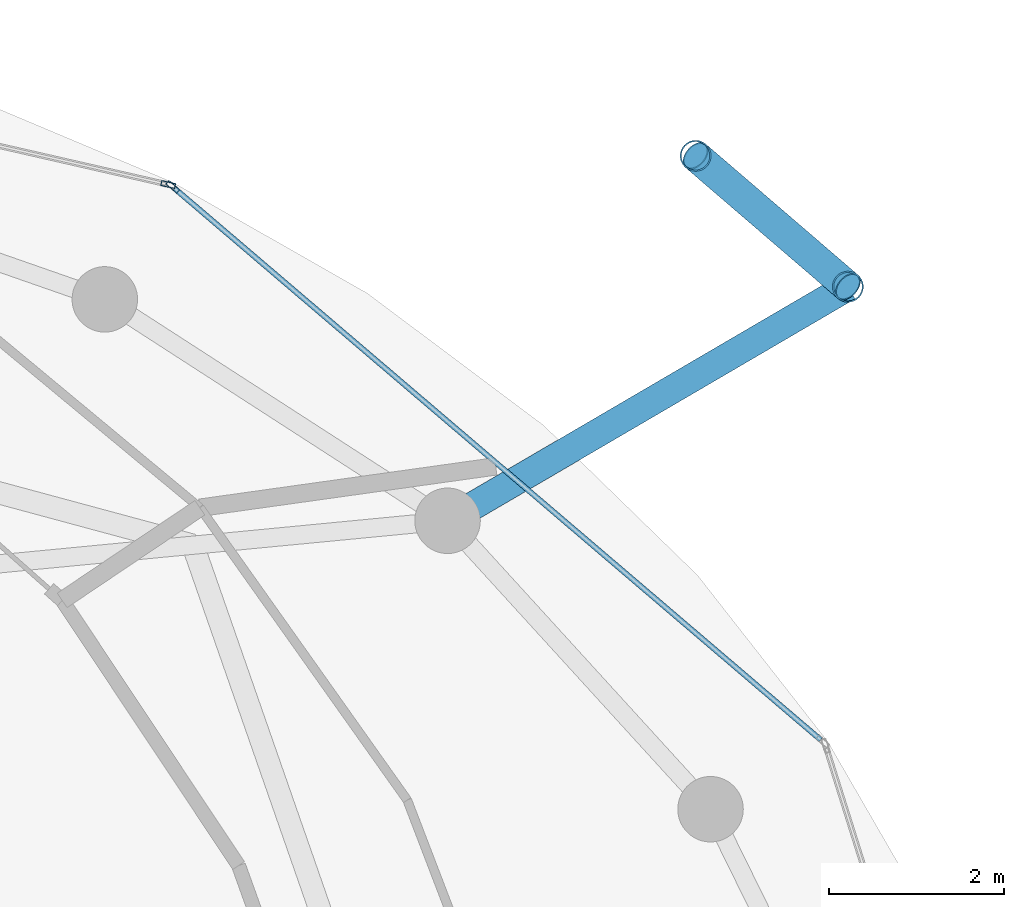
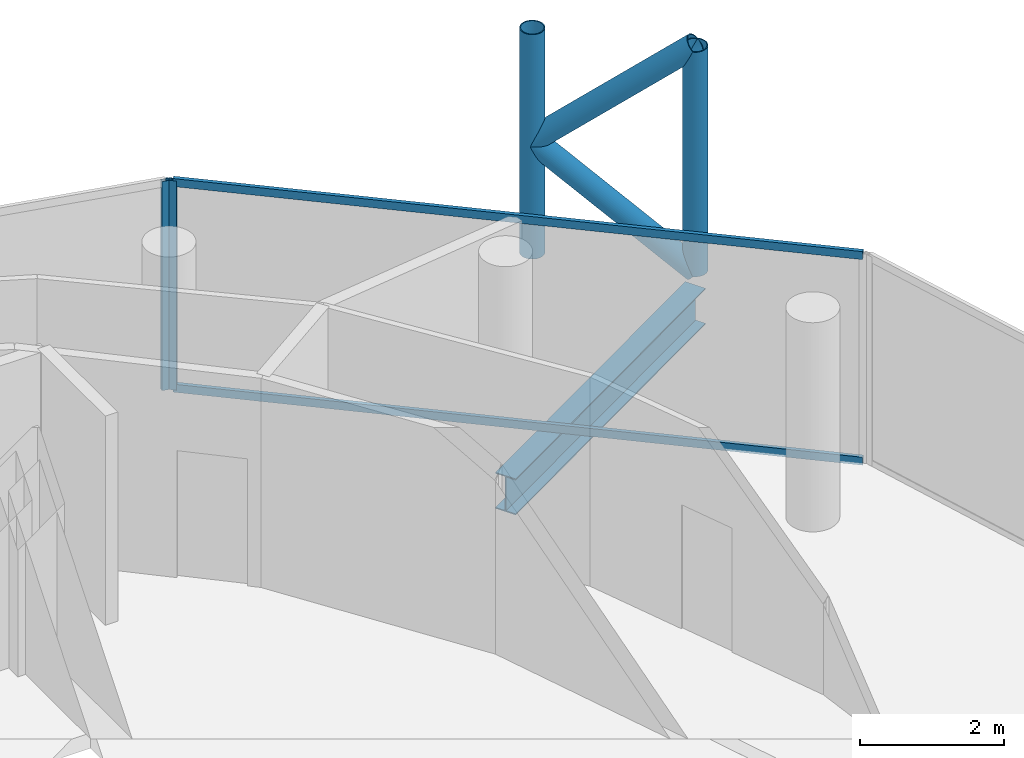
# One storey, part 18 of 24: 8 members, 1 beam, 2 elements without a shape of their own.
"""IFC4 building model written with IfcOpenShell, lengths in metres."""

import ifcopenshell
import ifcopenshell.guid

model = None  # the IFC model being written
_history = None  # IfcOwnerHistory: only IFC2X3 demands one
_inside = {}  # id of a spatial element -> (the spatial element, [elements in it])
_under = {}  # id of a project, library or spatial element -> (it, [spatial elements below it])
_declared = {}  # id of a project -> (the project, [libraries it declares])
_typed = {}  # id of a type object -> (the type object, [elements of that type])
_made_of = {}  # id of a material, layer set ... -> (it, [elements and type objects made of it])


def new_model(schema):
    """Start an empty IFC model of exactly this schema.

    Asked for "IFC4X3", IfcOpenShell would pick the latest addendum, in which some entities
    have other attributes; the version numbers below select the first issue.
    IFC2X3 requires an IfcOwnerHistory on every rooted entity: one is made here for all.
    """
    global model, _history
    if schema == "IFC4X3":
        model = ifcopenshell.file(schema_version=(4, 3, 0, 0))
    else:
        model = ifcopenshell.file(schema=schema)
    _inside.clear()
    _under.clear()
    _declared.clear()
    _typed.clear()
    _made_of.clear()
    _history = None
    if model.schema == "IFC2X3":
        org = make("IfcOrganization", Name="unknown")
        user = make(
            "IfcPersonAndOrganization",
            ThePerson=make("IfcPerson", FamilyName="unknown"),
            TheOrganization=org,
        )
        app = make(
            "IfcApplication",
            ApplicationDeveloper=org,
            Version="unknown",
            ApplicationFullName="unknown",
            ApplicationIdentifier="unknown",
        )
        _history = make(
            "IfcOwnerHistory",
            OwningUser=user,
            OwningApplication=app,
            ChangeAction="ADDED",
            CreationDate=0,
        )
    return model


def make(cls, **values):
    """One entity of the class cls with the attributes given. An attribute that is None is left unset."""
    return model.create_entity(
        cls, **{name: value for name, value in values.items() if value is not None}
    )


def rooted(cls, **values):
    """An entity with a GlobalId (a new one), such as an element, a storey or a relation."""
    return make(cls, GlobalId=ifcopenshell.guid.new(), OwnerHistory=_history, **values)


def si_unit(unit_type, name, prefix=None):
    """IfcSIUnit, for example si_unit("LENGTHUNIT", "METRE", prefix="MILLI")."""
    return make("IfcSIUnit", UnitType=unit_type, Prefix=prefix, Name=name)


def assignment(units):
    """IfcUnitAssignment: the units of a project."""
    return None if units is None else make("IfcUnitAssignment", Units=units)


def point(xyz):
    """IfcCartesianPoint."""
    return None if xyz is None else make("IfcCartesianPoint", Coordinates=xyz)


def direction(xyz):
    """IfcDirection."""
    return None if xyz is None else make("IfcDirection", DirectionRatios=xyz)


def frame(location, z_axis=None, x_axis=None):
    """IfcAxis2Placement3D, a coordinate frame: its origin and axes. An axis left out is left unset."""
    return make(
        "IfcAxis2Placement3D",
        Location=point(location),
        Axis=direction(z_axis),
        RefDirection=direction(x_axis),
    )


def frame_2d(location, x_axis=None):
    """IfcAxis2Placement2D, a coordinate frame in the plane: its origin and x axis."""
    return make(
        "IfcAxis2Placement2D", Location=point(location), RefDirection=direction(x_axis)
    )


def origin():
    """The frame at (0, 0, 0) with its axes left unset."""
    return frame((0.0, 0.0, 0.0))


def origin_2d():
    """The frame at (0, 0) in the plane with its x axis left unset."""
    return frame_2d((0.0, 0.0))


def place(relative_to, where):
    """IfcLocalPlacement: puts the frame where relative to a parent placement (None: the world)."""
    return make(
        "IfcLocalPlacement", PlacementRelTo=relative_to, RelativePlacement=where
    )


def context(
    kind, dimensions, precision=None, world=None, true_north=None, identifier=None
):
    """IfcGeometricRepresentationContext, for example the 3D "Model" context."""
    return make(
        "IfcGeometricRepresentationContext",
        ContextIdentifier=identifier,
        ContextType=kind,
        CoordinateSpaceDimension=dimensions,
        Precision=precision,
        WorldCoordinateSystem=world,
        TrueNorth=true_north,
    )


def subcontext(parent, identifier, kind, view, scale=None):
    """IfcGeometricRepresentationSubContext, for example "Body" below "Model"."""
    return make(
        "IfcGeometricRepresentationSubContext",
        ContextIdentifier=identifier,
        ContextType=kind,
        ParentContext=parent,
        TargetScale=scale,
        TargetView=view,
    )


def project(units=None, contexts=None):
    """IfcProject with its units and contexts."""
    return rooted(
        "IfcProject",
        Name="project",
        RepresentationContexts=contexts,
        UnitsInContext=assignment(units),
    )


def spatial(cls, under=None, at=None, **own):
    """A site, building, storey or space (cls), placed at a placement, below another one or the project."""
    s = rooted(cls, ObjectPlacement=at, **own)
    if under is not None:
        _under.setdefault(under.id(), (under, []))[1].append(s)
    return s


def profile(cls, at=None, kind="AREA", **sizes):
    """A parametric profile (cls). Its sizes go by their IFC names, for example OverallWidth=200.0."""
    return make(cls, ProfileType=kind, Position=at, **sizes)


def hollow_rectangle(**sizes):
    """IfcRectangleHollowProfileDef."""
    return profile("IfcRectangleHollowProfileDef", **sizes)


def hollow_circle(**sizes):
    """IfcCircleHollowProfileDef."""
    return profile("IfcCircleHollowProfileDef", **sizes)


def i_section(**sizes):
    """IfcIShapeProfileDef."""
    return profile("IfcIShapeProfileDef", **sizes)


def extrude(swept, where, along, depth):
    """IfcExtrudedAreaSolid: the profile swept, set in the frame where, extruded along a direction by depth."""
    return make(
        "IfcExtrudedAreaSolid",
        SweptArea=swept,
        Position=where,
        ExtrudedDirection=direction(along),
        Depth=depth,
    )


def shape(context_of_items, identifier, shape_type, items):
    """IfcShapeRepresentation: the items that make up one representation, for example the "Body"."""
    return make(
        "IfcShapeRepresentation",
        ContextOfItems=context_of_items,
        RepresentationIdentifier=identifier,
        RepresentationType=shape_type,
        Items=items,
    )


def material(Name=None, Category=None):
    """IfcMaterial."""
    return make("IfcMaterial", Name=Name, Category=Category)


def layer(
    of_material, thickness, ventilated=None, Name=None, Category=None, Priority=None
):
    """IfcMaterialLayer: one layer of a wall or slab, of a material (None: an air gap)."""
    return make(
        "IfcMaterialLayer",
        Material=of_material,
        LayerThickness=thickness,
        IsVentilated=ventilated,
        Name=Name,
        Category=Category,
        Priority=Priority,
    )


def layer_set(layers, Name=None):
    """IfcMaterialLayerSet."""
    return make("IfcMaterialLayerSet", MaterialLayers=layers, LayerSetName=Name)


def material_profile(
    of_material, cross_section, Name=None, Category=None, Priority=None
):
    """IfcMaterialProfile: a cross section and its material."""
    return make(
        "IfcMaterialProfile",
        Name=Name,
        Material=of_material,
        Profile=cross_section,
        Priority=Priority,
        Category=Category,
    )


def profile_set(profiles, Name=None, composite=None):
    """IfcMaterialProfileSet."""
    return make(
        "IfcMaterialProfileSet",
        Name=Name,
        MaterialProfiles=profiles,
        CompositeProfile=composite,
    )


def made_of(thing, what):
    """Note that an element or type object is made of a material, layer set ...; save() writes the relation."""
    if what is not None:
        _made_of.setdefault(what.id(), (what, []))[1].append(thing)
    return thing


def type_object(cls, material=None, **own):
    """A type object (cls), such as IfcWallType, which elements share."""
    return made_of(rooted(cls, **own), material)


def element(
    cls,
    number,
    at=None,
    inside=None,
    cuts=None,
    type_object=None,
    material=None,
    context=None,
    identifier="Body",
    shape_type=None,
    held_by="IfcProductDefinitionShape",
    body=None,
    shapes=None,
    **own,
):
    """One element of the class cls, such as IfcWall. Its Tag is "e" and its number.

    at: its placement. inside: the storey or other place that contains it. cuts: it is an
    opening in that element (IfcRelVoidsElement). A single representation is given by context,
    identifier, shape_type and body (its items); several are given by shapes. held_by: the class
    of the entity that holds the representations. save() writes the other relations.
    """
    e = rooted(cls, Tag="e%d" % number, ObjectPlacement=at, **own)
    if body is not None:
        shapes = [shape(context, identifier, shape_type, body)]
    if shapes is not None:
        e.Representation = make(held_by, Representations=shapes)
    if inside is not None:
        _inside.setdefault(inside.id(), (inside, []))[1].append(e)
    if cuts is not None:
        rooted(
            "IfcRelVoidsElement", RelatingBuildingElement=cuts, RelatedOpeningElement=e
        )
    if type_object is not None:
        _typed.setdefault(type_object.id(), (type_object, []))[1].append(e)
    return made_of(e, material)


def aggregate(whole, parts):
    """IfcRelAggregates: a whole, such as a stair, and the parts it consists of."""
    return rooted("IfcRelAggregates", RelatingObject=whole, RelatedObjects=parts)


def save(model, path):
    """Write the relations noted so far, then the file.

    IfcRelAggregates (storeys below a building ...), IfcRelContainedInSpatialStructure (elements
    in a storey), IfcRelDefinesByType, IfcRelAssociatesMaterial and IfcRelDeclares: one each for
    every whole, place, type object, material and project.
    """
    for whole, parts in _under.values():
        aggregate(whole, parts)
    for where, things in _inside.values():
        rooted(
            "IfcRelContainedInSpatialStructure",
            RelatedElements=things,
            RelatingStructure=where,
        )
    for kind, things in _typed.values():
        rooted("IfcRelDefinesByType", RelatedObjects=things, RelatingType=kind)
    for what, things in _made_of.values():
        rooted("IfcRelAssociatesMaterial", RelatedObjects=things, RelatingMaterial=what)
    for by, libraries in _declared.values():
        rooted("IfcRelDeclares", RelatingContext=by, RelatedDefinitions=libraries)
    model.write(path)


model = new_model("IFC4")

# Units and contexts
model_context = context("Model", 3, precision=1e-05, world=origin(), true_north=direction((0.0, 1.0)))
body_context = subcontext(model_context, "Body", "Model", "MODEL_VIEW")
ifc_project = project(units=[si_unit("LENGTHUNIT", "METRE"), si_unit("AREAUNIT", "SQUARE_METRE"), si_unit("VOLUMEUNIT", "CUBIC_METRE"), si_unit("PLANEANGLEUNIT", "RADIAN"), si_unit("MASSUNIT", "GRAM", prefix="KILO")], contexts=[model_context])

# Site, building, storey
site_placement = place(None, origin())
site = spatial("IfcSite", under=ifc_project, at=site_placement, CompositionType="ELEMENT")
building_placement = place(site_placement, origin())
building = spatial("IfcBuilding", under=site, at=building_placement, Name="Nuhasar Tower", CompositionType="ELEMENT")
storey_placement = place(building_placement, frame((0.0, 0.0, 267.0)))
storey = spatial("IfcBuildingStorey", under=building, at=storey_placement, Name="L66", CompositionType="ELEMENT", Elevation=267.0)

# Beam
ifc_material_1 = material(Name="Steel S355", Category="steel")
ifc_material_profile_1 = material_profile(ifc_material_1, i_section(OverallWidth=0.323974609375, OverallDepth=0.611083984375, WebThickness=0.0126953125, FlangeThickness=0.01904296875, at=origin_2d()), Name="W24X104")
ifc_profile_set_1 = profile_set([ifc_material_profile_1], Name="Steel S355")
beam_type = type_object("IfcBeamType", Name="BM-TIE-W24X104", PredefinedType="BEAM", material=ifc_profile_set_1)
beam_placement = place(storey_placement, frame((52.39990234375, 38.077880859375, -0.56494140625), z_axis=(0.863271521286, 0.504739814693, 0.0), x_axis=(-0.504739814693, 0.863271521286, 0.0)))
element("IfcBeam", 1, at=beam_placement, inside=storey, type_object=beam_type, Name="L66 Exoskeleton Node Tie Beam 02", PredefinedType="BEAM", context=body_context, shape_type="SweptSolid", body=[
    extrude(i_section(OverallWidth=0.323974609375, OverallDepth=0.611083984375, WebThickness=0.0126953125, FlangeThickness=0.01904296875, at=origin_2d()), origin(), (0.0, 0.0, 1.0), 5.31005859375),
])

# Curtain wall, member
ifc_material_2 = material(Name="Aluminium 6063-T6", Category="aluminium")
ifc_layer = layer(ifc_material_2, 0.18994140625)
ifc_layer_set = layer_set([ifc_layer], Name="Aluminium 6063-T6")
curtain_wall_type = type_object("IfcCurtainWallType", Name="CW-Z4-PEN", PredefinedType="NOTDEFINED", material=ifc_layer_set)
curtain_wall_1_placement = place(storey_placement, origin())
curtain_wall_1 = element("IfcCurtainWall", 2, at=curtain_wall_1_placement, inside=storey, type_object=curtain_wall_type, Name="L66 Unitised Curtain Wall 02", PredefinedType="NOTDEFINED")
ifc_material_profile_2 = material_profile(ifc_material_2, hollow_rectangle(XDim=0.06005859375, YDim=0.1650390625, WallThickness=0.0048828125, at=origin_2d()), Name="CWM-5")
ifc_profile_set_2 = profile_set([ifc_material_profile_2], Name="Aluminium 6063-T6")
member_type_1 = type_object("IfcMemberType", Name="CW-MUL-S5", PredefinedType="MULLION", material=ifc_profile_set_2)
member_1_placement = place(storey_placement, frame((49.2529296875, 41.901611328125, 0.0), z_axis=(0.0, 0.0, 1.0), x_axis=(-0.649141996205, -0.760667252327, 0.0)))
member_1 = element("IfcMember", 3, at=member_1_placement, type_object=member_type_1, Name="CW-Z4 mullion 2", PredefinedType="MULLION", context=body_context, shape_type="SweptSolid", body=[
    extrude(hollow_rectangle(XDim=0.06005859375, YDim=0.1650390625, WallThickness=0.0048828125, at=origin_2d()), origin(), (0.0, 0.0, 1.0), 3.5400390625),
])

curtain_wall_2_placement = place(storey_placement, origin())
curtain_wall_2 = element("IfcCurtainWall", 4, at=curtain_wall_2_placement, inside=storey, type_object=curtain_wall_type, Name="L66 Unitised Curtain Wall 03", PredefinedType="NOTDEFINED")
member_2_placement = place(storey_placement, frame((49.20068359375, 41.927734375, 0.0), z_axis=(0.0, 0.0, 1.0), x_axis=(-0.222889487645, -0.97484371891, 0.0)))
member_2 = element("IfcMember", 5, at=member_2_placement, type_object=member_type_1, Name="CW-Z4 mullion 1", PredefinedType="MULLION", context=body_context, shape_type="SweptSolid", body=[
    extrude(hollow_rectangle(XDim=0.06005859375, YDim=0.1650390625, WallThickness=0.0048828125, at=origin_2d()), origin(), (0.0, 0.0, 1.0), 3.5400390625),
])
aggregate(curtain_wall_2, [member_2])

# Member
ifc_material_profile_3 = material_profile(ifc_material_2, hollow_rectangle(XDim=0.06005859375, YDim=0.135009765625, WallThickness=0.00439453125, at=origin_2d()), Name="CWT-5")
ifc_profile_set_3 = profile_set([ifc_material_profile_3], Name="Aluminium 6063-T6")
member_type_2 = type_object("IfcMemberType", Name="CW-TRN-S5", PredefinedType="USERDEFINED", material=ifc_profile_set_3)
member_3_placement = place(storey_placement, frame((56.67333984375, 35.56884765625, 0.030029296875), z_axis=(-0.760660035709, 0.649150452573, 0.0), x_axis=(-0.649150452573, -0.760660035709, 0.0)))
member_3 = element("IfcMember", 6, at=member_3_placement, type_object=member_type_2, Name="CW-Z4 transom 1.1", ObjectType="TRANSOM", PredefinedType="USERDEFINED", context=body_context, shape_type="SweptSolid", body=[
    extrude(hollow_rectangle(XDim=0.06005859375, YDim=0.135009765625, WallThickness=0.00439453125, at=origin_2d()), origin(), (0.0, 0.0, 1.0), 9.725341796875),
])

member_4_placement = place(storey_placement, frame((56.67333984375, 35.56884765625, 3.510009765625), z_axis=(-0.760660035709, 0.649150452573, 0.0), x_axis=(-0.649150452573, -0.760660035709, 0.0)))
member_4 = element("IfcMember", 7, at=member_4_placement, type_object=member_type_2, Name="CW-Z4 transom 1.2", ObjectType="TRANSOM", PredefinedType="USERDEFINED", context=body_context, shape_type="SweptSolid", body=[
    extrude(hollow_rectangle(XDim=0.06005859375, YDim=0.135009765625, WallThickness=0.00439453125, at=origin_2d()), origin(), (0.0, 0.0, 1.0), 9.725341796875),
])

aggregate(curtain_wall_1, [member_1, member_3, member_4])

# Members
ifc_material_3 = material(Name="Steel S460", Category="steel")
ifc_material_profile_4 = material_profile(ifc_material_3, hollow_circle(Radius=0.177734375, WallThickness=0.015869140625, at=origin_2d()), Name="HSS355.6X15.9")
ifc_profile_set_4 = profile_set([ifc_material_profile_4], Name="Steel S460")
member_type_3 = type_object("IfcMemberType", Name="EXO-BRONZE-356", PredefinedType="BRACE", material=ifc_profile_set_4)
for number, where, z_axis, x_axis, name in (
    (8, (56.98388671875, 40.758056640625, 0.0), (0.0, 0.0, 1.0), (1.0, 0.0, 0.0), "L66 Exoskeleton Chord Column EC-02A"),
    (9, (55.239990234375, 42.257080078125, 0.0), (0.0, 0.0, 1.0), (1.0, 0.0, 0.0), "L66 Exoskeleton Chord Column EC-02B"),
):
    element("IfcMember", number, at=place(storey_placement, frame(where, z_axis=z_axis, x_axis=x_axis)), inside=storey, type_object=member_type_3, Name=name, PredefinedType="BRACE", context=body_context, shape_type="SweptSolid", body=[
        extrude(hollow_circle(Radius=0.177734375, WallThickness=0.015869140625, at=origin_2d()), origin(), (0.0, 0.0, 1.0), 3.800048828125),
    ])
member_5_placement = place(storey_placement, frame((56.98388671875, 40.758056640625, 0.0), z_axis=(-0.584625223306, 0.502533791278, 0.636924749792), x_axis=(-0.65185738425, -0.758341579104, 0.0)))
element("IfcMember", 10, at=member_5_placement, inside=storey, type_object=member_type_3, Name="L66 Bronze Diagrid Brace W1-02", PredefinedType="BRACE", context=body_context, shape_type="SweptSolid", body=[
    extrude(hollow_circle(Radius=0.177734375, WallThickness=0.015869140625, at=origin_2d()), origin(), (0.0, 0.0, 1.0), 2.98291015625),
])
member_6_placement = place(storey_placement, frame((55.239990234375, 42.257080078125, 1.89990234375), z_axis=(0.584594747408, -0.50250759472, 0.636973389203), x_axis=(0.65185738425, 0.758341579104, 0.0)))
element("IfcMember", 11, at=member_6_placement, inside=storey, type_object=member_type_3, Name="L66 Bronze Diagrid Brace W2-02", PredefinedType="BRACE", context=body_context, shape_type="SweptSolid", body=[
    extrude(hollow_circle(Radius=0.177734375, WallThickness=0.015869140625, at=origin_2d()), origin(), (0.0, 0.0, 1.0), 2.983154296875),
])

save(model, "model.ifc")
